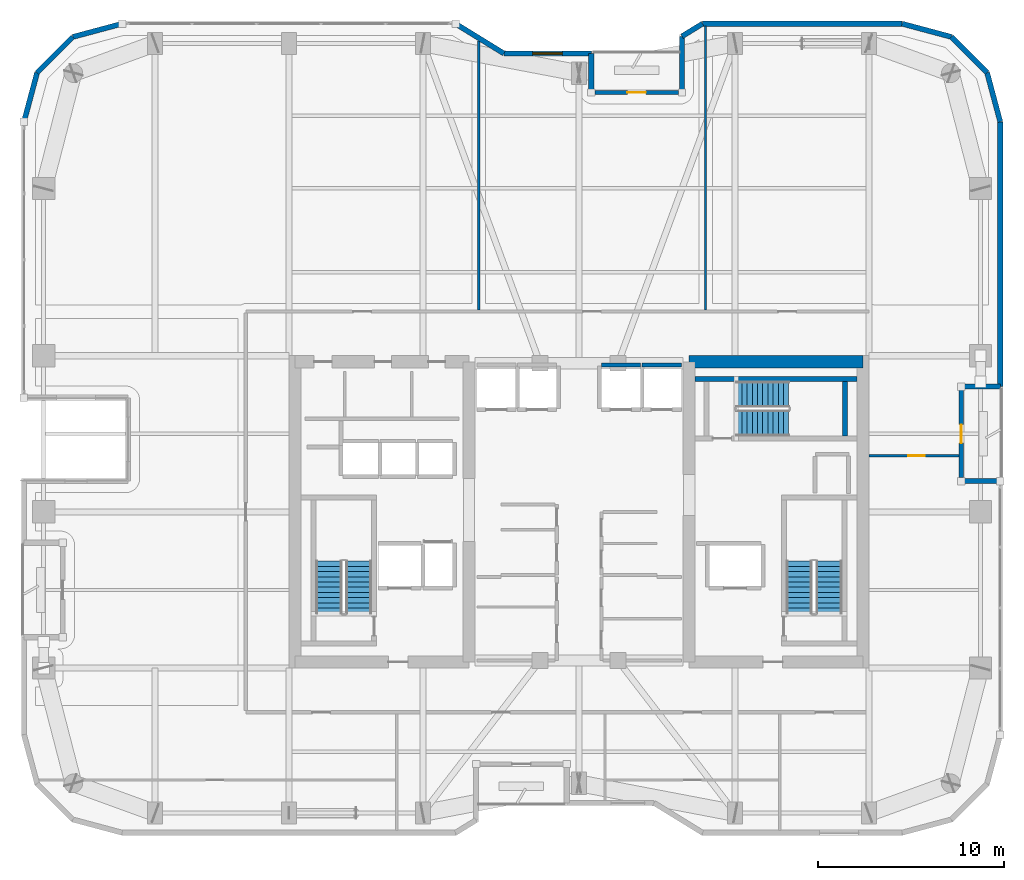
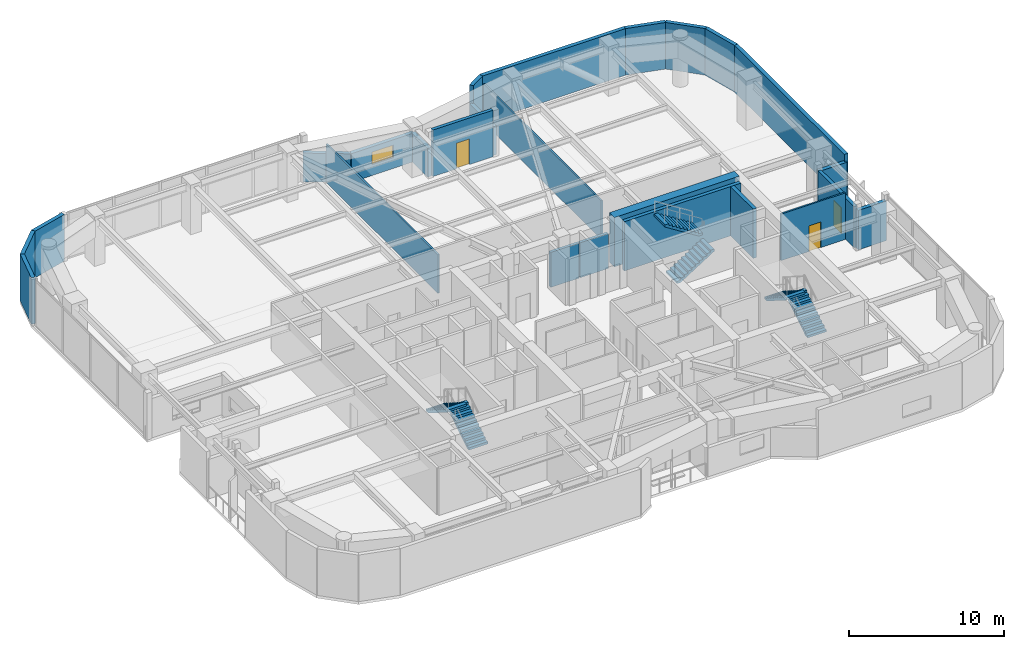
# One storey, part 23 of 26: 25 walls, 6 stair flights, 3 doors, 1 window, 4 openings, 3 elements without a shape of their own.
"""IFC4 building model written with IfcOpenShell, lengths in metres."""

import ifcopenshell
import ifcopenshell.guid

model = None  # the IFC model being written
_history = None  # IfcOwnerHistory: only IFC2X3 demands one
_inside = {}  # id of a spatial element -> (the spatial element, [elements in it])
_under = {}  # id of a project, library or spatial element -> (it, [spatial elements below it])
_declared = {}  # id of a project -> (the project, [libraries it declares])
_typed = {}  # id of a type object -> (the type object, [elements of that type])
_made_of = {}  # id of a material, layer set ... -> (it, [elements and type objects made of it])


def new_model(schema):
    """Start an empty IFC model of exactly this schema.

    Asked for "IFC4X3", IfcOpenShell would pick the latest addendum, in which some entities
    have other attributes; the version numbers below select the first issue.
    IFC2X3 requires an IfcOwnerHistory on every rooted entity: one is made here for all.
    """
    global model, _history
    if schema == "IFC4X3":
        model = ifcopenshell.file(schema_version=(4, 3, 0, 0))
    else:
        model = ifcopenshell.file(schema=schema)
    _inside.clear()
    _under.clear()
    _declared.clear()
    _typed.clear()
    _made_of.clear()
    _history = None
    if model.schema == "IFC2X3":
        org = make("IfcOrganization", Name="unknown")
        user = make(
            "IfcPersonAndOrganization",
            ThePerson=make("IfcPerson", FamilyName="unknown"),
            TheOrganization=org,
        )
        app = make(
            "IfcApplication",
            ApplicationDeveloper=org,
            Version="unknown",
            ApplicationFullName="unknown",
            ApplicationIdentifier="unknown",
        )
        _history = make(
            "IfcOwnerHistory",
            OwningUser=user,
            OwningApplication=app,
            ChangeAction="ADDED",
            CreationDate=0,
        )
    return model


def make(cls, **values):
    """One entity of the class cls with the attributes given. An attribute that is None is left unset."""
    return model.create_entity(
        cls, **{name: value for name, value in values.items() if value is not None}
    )


def rooted(cls, **values):
    """An entity with a GlobalId (a new one), such as an element, a storey or a relation."""
    return make(cls, GlobalId=ifcopenshell.guid.new(), OwnerHistory=_history, **values)


def si_unit(unit_type, name, prefix=None):
    """IfcSIUnit, for example si_unit("LENGTHUNIT", "METRE", prefix="MILLI")."""
    return make("IfcSIUnit", UnitType=unit_type, Prefix=prefix, Name=name)


def assignment(units):
    """IfcUnitAssignment: the units of a project."""
    return None if units is None else make("IfcUnitAssignment", Units=units)


def point(xyz):
    """IfcCartesianPoint."""
    return None if xyz is None else make("IfcCartesianPoint", Coordinates=xyz)


def direction(xyz):
    """IfcDirection."""
    return None if xyz is None else make("IfcDirection", DirectionRatios=xyz)


def frame(location, z_axis=None, x_axis=None):
    """IfcAxis2Placement3D, a coordinate frame: its origin and axes. An axis left out is left unset."""
    return make(
        "IfcAxis2Placement3D",
        Location=point(location),
        Axis=direction(z_axis),
        RefDirection=direction(x_axis),
    )


def frame_2d(location, x_axis=None):
    """IfcAxis2Placement2D, a coordinate frame in the plane: its origin and x axis."""
    return make(
        "IfcAxis2Placement2D", Location=point(location), RefDirection=direction(x_axis)
    )


def origin():
    """The frame at (0, 0, 0) with its axes left unset."""
    return frame((0.0, 0.0, 0.0))


def place(relative_to, where):
    """IfcLocalPlacement: puts the frame where relative to a parent placement (None: the world)."""
    return make(
        "IfcLocalPlacement", PlacementRelTo=relative_to, RelativePlacement=where
    )


def context(
    kind, dimensions, precision=None, world=None, true_north=None, identifier=None
):
    """IfcGeometricRepresentationContext, for example the 3D "Model" context."""
    return make(
        "IfcGeometricRepresentationContext",
        ContextIdentifier=identifier,
        ContextType=kind,
        CoordinateSpaceDimension=dimensions,
        Precision=precision,
        WorldCoordinateSystem=world,
        TrueNorth=true_north,
    )


def subcontext(parent, identifier, kind, view, scale=None):
    """IfcGeometricRepresentationSubContext, for example "Body" below "Model"."""
    return make(
        "IfcGeometricRepresentationSubContext",
        ContextIdentifier=identifier,
        ContextType=kind,
        ParentContext=parent,
        TargetScale=scale,
        TargetView=view,
    )


def project(units=None, contexts=None):
    """IfcProject with its units and contexts."""
    return rooted(
        "IfcProject",
        Name="project",
        RepresentationContexts=contexts,
        UnitsInContext=assignment(units),
    )


def spatial(cls, under=None, at=None, **own):
    """A site, building, storey or space (cls), placed at a placement, below another one or the project."""
    s = rooted(cls, ObjectPlacement=at, **own)
    if under is not None:
        _under.setdefault(under.id(), (under, []))[1].append(s)
    return s


def polyline(points):
    """IfcPolyline through the points."""
    return make("IfcPolyline", Points=[point(p) for p in points])


def profile(cls, at=None, kind="AREA", **sizes):
    """A parametric profile (cls). Its sizes go by their IFC names, for example OverallWidth=200.0."""
    return make(cls, ProfileType=kind, Position=at, **sizes)


def rectangle(**sizes):
    """IfcRectangleProfileDef."""
    return profile("IfcRectangleProfileDef", **sizes)


def outline(outer, holes=None, kind="AREA"):
    """IfcArbitraryClosedProfileDef: a profile drawn as a closed curve; with holes, ...WithVoids."""
    if holes is None:
        return make("IfcArbitraryClosedProfileDef", ProfileType=kind, OuterCurve=outer)
    return make(
        "IfcArbitraryProfileDefWithVoids",
        ProfileType=kind,
        OuterCurve=outer,
        InnerCurves=holes,
    )


def extrude(swept, where, along, depth):
    """IfcExtrudedAreaSolid: the profile swept, set in the frame where, extruded along a direction by depth."""
    return make(
        "IfcExtrudedAreaSolid",
        SweptArea=swept,
        Position=where,
        ExtrudedDirection=direction(along),
        Depth=depth,
    )


def shape(context_of_items, identifier, shape_type, items):
    """IfcShapeRepresentation: the items that make up one representation, for example the "Body"."""
    return make(
        "IfcShapeRepresentation",
        ContextOfItems=context_of_items,
        RepresentationIdentifier=identifier,
        RepresentationType=shape_type,
        Items=items,
    )


def material(Name=None, Category=None):
    """IfcMaterial."""
    return make("IfcMaterial", Name=Name, Category=Category)


def layer(
    of_material, thickness, ventilated=None, Name=None, Category=None, Priority=None
):
    """IfcMaterialLayer: one layer of a wall or slab, of a material (None: an air gap)."""
    return make(
        "IfcMaterialLayer",
        Material=of_material,
        LayerThickness=thickness,
        IsVentilated=ventilated,
        Name=Name,
        Category=Category,
        Priority=Priority,
    )


def layer_set(layers, Name=None):
    """IfcMaterialLayerSet."""
    return make("IfcMaterialLayerSet", MaterialLayers=layers, LayerSetName=Name)


def made_of(thing, what):
    """Note that an element or type object is made of a material, layer set ...; save() writes the relation."""
    if what is not None:
        _made_of.setdefault(what.id(), (what, []))[1].append(thing)
    return thing


def type_object(cls, material=None, **own):
    """A type object (cls), such as IfcWallType, which elements share."""
    return made_of(rooted(cls, **own), material)


def element(
    cls,
    number,
    at=None,
    inside=None,
    cuts=None,
    type_object=None,
    material=None,
    context=None,
    identifier="Body",
    shape_type=None,
    held_by="IfcProductDefinitionShape",
    body=None,
    shapes=None,
    **own,
):
    """One element of the class cls, such as IfcWall. Its Tag is "e" and its number.

    at: its placement. inside: the storey or other place that contains it. cuts: it is an
    opening in that element (IfcRelVoidsElement). A single representation is given by context,
    identifier, shape_type and body (its items); several are given by shapes. held_by: the class
    of the entity that holds the representations. save() writes the other relations.
    """
    e = rooted(cls, Tag="e%d" % number, ObjectPlacement=at, **own)
    if body is not None:
        shapes = [shape(context, identifier, shape_type, body)]
    if shapes is not None:
        e.Representation = make(held_by, Representations=shapes)
    if inside is not None:
        _inside.setdefault(inside.id(), (inside, []))[1].append(e)
    if cuts is not None:
        rooted(
            "IfcRelVoidsElement", RelatingBuildingElement=cuts, RelatedOpeningElement=e
        )
    if type_object is not None:
        _typed.setdefault(type_object.id(), (type_object, []))[1].append(e)
    return made_of(e, material)


def fill(opening, filler):
    """IfcRelFillsElement: the door or window that sits in an opening."""
    return rooted(
        "IfcRelFillsElement",
        RelatingOpeningElement=opening,
        RelatedBuildingElement=filler,
    )


def aggregate(whole, parts):
    """IfcRelAggregates: a whole, such as a stair, and the parts it consists of."""
    return rooted("IfcRelAggregates", RelatingObject=whole, RelatedObjects=parts)


def save(model, path):
    """Write the relations noted so far, then the file.

    IfcRelAggregates (storeys below a building ...), IfcRelContainedInSpatialStructure (elements
    in a storey), IfcRelDefinesByType, IfcRelAssociatesMaterial and IfcRelDeclares: one each for
    every whole, place, type object, material and project.
    """
    for whole, parts in _under.values():
        aggregate(whole, parts)
    for where, things in _inside.values():
        rooted(
            "IfcRelContainedInSpatialStructure",
            RelatedElements=things,
            RelatingStructure=where,
        )
    for kind, things in _typed.values():
        rooted("IfcRelDefinesByType", RelatedObjects=things, RelatingType=kind)
    for what, things in _made_of.values():
        rooted("IfcRelAssociatesMaterial", RelatedObjects=things, RelatingMaterial=what)
    for by, libraries in _declared.values():
        rooted("IfcRelDeclares", RelatingContext=by, RelatedDefinitions=libraries)
    model.write(path)


model = new_model("IFC4")

# Units and contexts
model_context = context("Model", 3, precision=1e-05, world=origin(), true_north=direction((0.0, 1.0)))
body_context = subcontext(model_context, "Body", "Model", "MODEL_VIEW")
ifc_project = project(units=[si_unit("LENGTHUNIT", "METRE"), si_unit("AREAUNIT", "SQUARE_METRE"), si_unit("VOLUMEUNIT", "CUBIC_METRE"), si_unit("PLANEANGLEUNIT", "RADIAN"), si_unit("MASSUNIT", "GRAM", prefix="KILO")], contexts=[model_context])

# Site, building, storey
site_placement = place(None, origin())
site = spatial("IfcSite", under=ifc_project, at=site_placement, CompositionType="ELEMENT")
building_placement = place(site_placement, origin())
building = spatial("IfcBuilding", under=site, at=building_placement, Name="Kiyonajd Concourse Tower", CompositionType="ELEMENT")
storey_placement = place(building_placement, frame((0.0, 0.0, 186.300048828125)))
storey = spatial("IfcBuildingStorey", under=building, at=storey_placement, Name="L47", CompositionType="ELEMENT", Elevation=186.300048828125)

# Walls
ifc_material_1 = material(Name="Concrete C60/75", Category="concrete")
ifc_layer_1 = layer(ifc_material_1, 0.64990234375)
ifc_layer_set_1 = layer_set([ifc_layer_1], Name="Concrete C60/75")
wall_type_1 = type_object("IfcWallType", Name="WL-CORE-650", PredefinedType="SHEAR", material=ifc_layer_set_1)
wall_1_placement = place(storey_placement, frame((53.925048828125, 44.074951171875, 0.0), z_axis=(0.0, 0.0, 1.0), x_axis=(1.0, 0.0, 0.0)))
element("IfcWall", 1, at=wall_1_placement, inside=storey, type_object=wall_type_1, Name="L47 East Core North Shear Wall", PredefinedType="SHEAR", context=body_context, shape_type="SweptSolid", body=[
    extrude(rectangle(XDim=9.349853515625, YDim=0.64990234375, at=frame_2d((4.6748046875, 0.0))), origin(), (0.0, 0.0, 1.0), 3.89990234375),
])
ifc_material_2 = material(Name="Precast concrete C50/60", Category="concrete")
ifc_layer_2 = layer(ifc_material_2, 0.280029296875)
ifc_layer_set_2 = layer_set([ifc_layer_2], Name="Precast concrete C50/60")
wall_type_2 = type_object("IfcWallType", Name="WL-EXT-280", PredefinedType="SOLIDWALL", material=ifc_layer_set_2)
wall_2_placement = place(storey_placement, frame((18.139892578125, 56.981689453125, 0.0), z_axis=(0.0, 0.0, 1.0), x_axis=(0.258672222976, 0.9659651552, 0.0)))
element("IfcWall", 2, at=wall_2_placement, inside=storey, type_object=wall_type_2, Name="L47 Exterior Concrete Frame Wall 09", PredefinedType="SOLIDWALL", context=body_context, shape_type="SweptSolid", body=[
    extrude(rectangle(XDim=2.739013671875, YDim=0.280029296875, at=frame_2d((1.36962890625, 0.0))), origin(), (0.0, 0.0, 1.0), 3.679931640625),
])
wall_3_placement = place(storey_placement, frame((18.848388671875, 59.62744140625, 0.0), z_axis=(0.0, 0.0, 1.0), x_axis=(0.707106781187, 0.707106781187, 0.0)))
element("IfcWall", 3, at=wall_3_placement, inside=storey, type_object=wall_type_2, Name="L47 Exterior Concrete Frame Wall 10", PredefinedType="SOLIDWALL", context=body_context, shape_type="SweptSolid", body=[
    extrude(rectangle(XDim=2.720947265625, YDim=0.280029296875, at=frame_2d((1.3603515625, 0.0))), origin(), (0.0, 0.0, 1.0), 3.679931640625),
])
wall_4_placement = place(storey_placement, frame((20.7724609375, 61.551513671875, 0.0), z_axis=(0.0, 0.0, 1.0), x_axis=(0.965971118627, 0.258649952598, 0.0)))
element("IfcWall", 4, at=wall_4_placement, inside=storey, type_object=wall_type_2, Name="L47 Exterior Concrete Frame Wall 11", PredefinedType="SOLIDWALL", context=body_context, shape_type="SweptSolid", body=[
    extrude(rectangle(XDim=2.7392578125, YDim=0.280029296875, at=frame_2d((1.36962890625, 0.0))), origin(), (0.0, 0.0, 1.0), 3.679931640625),
])
wall_5_placement = place(storey_placement, frame((41.3603515625, 62.260009765625, 0.0), z_axis=(0.0, 0.0, 1.0), x_axis=(0.851652825334, -0.524106349037, 0.0)))
element("IfcWall", 5, at=wall_5_placement, inside=storey, type_object=wall_type_2, Name="L47 Exterior Concrete Frame Wall 13", PredefinedType="SOLIDWALL", context=body_context, shape_type="SweptSolid", body=[
    extrude(rectangle(XDim=3.052978515625, YDim=0.280029296875, at=frame_2d((1.5263671875, 0.0))), origin(), (0.0, 0.0, 1.0), 2.264892578125),
])

# Wall, opening, window
wall_6_placement = place(storey_placement, frame((43.96044921875, 60.659912109375, 0.0), z_axis=(0.0, 0.0, 1.0), x_axis=(1.0, 0.0, 0.0)))
wall_6 = element("IfcWall", 6, at=wall_6_placement, inside=storey, type_object=wall_type_2, Name="L47 Exterior Concrete Frame Wall 14", PredefinedType="SOLIDWALL", context=body_context, shape_type="SweptSolid", body=[
    extrude(rectangle(XDim=4.699462890625, YDim=0.280029296875, at=frame_2d((2.349609375, 0.0))), origin(), (0.0, 0.0, 1.0), 2.264892578125),
])
opening_1_placement = place(wall_6_placement, frame((1.550048828125, 0.0, 0.85009765625)))
opening_1 = element("IfcOpeningElement", 7, at=opening_1_placement, cuts=wall_6, Name="Opening WN6", PredefinedType="OPENING", context=body_context, shape_type="SweptSolid", body=[
    extrude(rectangle(XDim=1.60009765625, YDim=1.0, at=frame_2d((0.800048828125, 0.5))), frame((0.0, 0.14990234375, 0.0), z_axis=(0.0, -1.0, 0.0), x_axis=(1.0, 0.0, 0.0)), (0.0, 0.0, 1.0), 0.300048828125),
])
ifc_material_3 = material(Name="Double Low-E Insulated Glass", Category="glass")
window_type = type_object("IfcWindowType", Name="WN-VIS-1600x1000", PartitioningType="SINGLE_PANEL", PredefinedType="WINDOW", material=ifc_material_3)
window_placement = place(opening_1_placement, origin())
window = element("IfcWindow", 8, at=window_placement, inside=storey, type_object=window_type, Name="L47 Modular Facade Vision Window 14", OverallHeight=1.0, OverallWidth=1.60009765625, PartitioningType="SINGLE_PANEL", PredefinedType="WINDOW", context=body_context, shape_type="SweptSolid", body=[
    extrude(rectangle(XDim=1.60009765625, YDim=1.0, at=frame_2d((0.800048828125, 0.5))), frame((0.0, 0.030029296875, 0.0), z_axis=(0.0, -1.0, 0.0), x_axis=(1.0, 0.0, 0.0)), (0.0, 0.0, 1.0), 0.06005859375),
])
fill(opening_1, window)

# Walls
wall_7_placement = place(storey_placement, frame((48.659912109375, 60.659912109375, 0.0), z_axis=(0.0, 0.0, 1.0), x_axis=(0.0, -1.0, 0.0)))
element("IfcWall", 9, at=wall_7_placement, inside=storey, type_object=wall_type_2, Name="L47 Exterior Concrete Frame Wall 15", PredefinedType="SOLIDWALL", context=body_context, shape_type="SweptSolid", body=[
    extrude(rectangle(XDim=2.099853515625, YDim=0.280029296875, at=frame_2d((1.0498046875, 0.0))), origin(), (0.0, 0.0, 1.0), 2.264892578125),
])
wall_8_placement = place(storey_placement, frame((53.5400390625, 58.56005859375, 0.0), z_axis=(0.0, 0.0, 1.0), x_axis=(0.0, 1.0, 0.0)))
element("IfcWall", 10, at=wall_8_placement, inside=storey, type_object=wall_type_2, Name="L47 Exterior Concrete Frame Wall 17", PredefinedType="SOLIDWALL", context=body_context, shape_type="SweptSolid", body=[
    extrude(rectangle(XDim=3.023681640625, YDim=0.280029296875, at=frame_2d((1.51171875, 0.0))), origin(), (0.0, 0.0, 1.0), 2.264892578125),
])
wall_9_placement = place(storey_placement, frame((53.5400390625, 61.583740234375, 0.0), z_axis=(0.0, 0.0, 1.0), x_axis=(0.851801140441, 0.523865266212, 0.0)))
element("IfcWall", 11, at=wall_9_placement, inside=storey, type_object=wall_type_2, Name="L47 Exterior Concrete Frame Wall 18", PredefinedType="SOLIDWALL", context=body_context, shape_type="SweptSolid", body=[
    extrude(rectangle(XDim=1.291015625, YDim=0.280029296875, at=frame_2d((0.6455078125, 0.0))), origin(), (0.0, 0.0, 1.0), 3.679931640625),
])
wall_10_placement = place(storey_placement, frame((54.6396484375, 62.260009765625, 0.0), z_axis=(0.0, 0.0, 1.0), x_axis=(1.0, 0.0, 0.0)))
element("IfcWall", 12, at=wall_10_placement, inside=storey, type_object=wall_type_2, Name="L47 Exterior Concrete Frame Wall 19", PredefinedType="SOLIDWALL", context=body_context, shape_type="SweptSolid", body=[
    extrude(rectangle(XDim=10.741943359375, YDim=0.280029296875, at=frame_2d((5.37109375, 0.0))), origin(), (0.0, 0.0, 1.0), 3.679931640625),
])
wall_11_placement = place(storey_placement, frame((65.381591796875, 62.260009765625, 0.0), z_axis=(0.0, 0.0, 1.0), x_axis=(0.965971118627, -0.258649952598, 0.0)))
element("IfcWall", 13, at=wall_11_placement, inside=storey, type_object=wall_type_2, Name="L47 Exterior Concrete Frame Wall 20", PredefinedType="SOLIDWALL", context=body_context, shape_type="SweptSolid", body=[
    extrude(rectangle(XDim=2.7392578125, YDim=0.280029296875, at=frame_2d((1.36962890625, 0.0))), origin(), (0.0, 0.0, 1.0), 3.679931640625),
])
wall_12_placement = place(storey_placement, frame((68.027587890625, 61.551513671875, 0.0), z_axis=(0.0, 0.0, 1.0), x_axis=(0.707061915429, -0.707151644098, 0.0)))
element("IfcWall", 14, at=wall_12_placement, inside=storey, type_object=wall_type_2, Name="L47 Exterior Concrete Frame Wall 21", PredefinedType="SOLIDWALL", context=body_context, shape_type="SweptSolid", body=[
    extrude(rectangle(XDim=2.720947265625, YDim=0.280029296875, at=frame_2d((1.3603515625, 0.0))), origin(), (0.0, 0.0, 1.0), 3.679931640625),
])
wall_13_placement = place(storey_placement, frame((69.951416015625, 59.62744140625, 0.0), z_axis=(0.0, 0.0, 1.0), x_axis=(0.258672222976, -0.9659651552, 0.0)))
element("IfcWall", 15, at=wall_13_placement, inside=storey, type_object=wall_type_2, Name="L47 Exterior Concrete Frame Wall 22", PredefinedType="SOLIDWALL", context=body_context, shape_type="SweptSolid", body=[
    extrude(rectangle(XDim=2.739013671875, YDim=0.280029296875, at=frame_2d((1.36962890625, 0.0))), origin(), (0.0, 0.0, 1.0), 3.679931640625),
])
wall_14_placement = place(storey_placement, frame((70.659912109375, 56.981689453125, 0.0), z_axis=(0.0, 0.0, 1.0), x_axis=(0.0, -1.0, 0.0)))
element("IfcWall", 16, at=wall_14_placement, inside=storey, type_object=wall_type_2, Name="L47 Exterior Concrete Frame Wall 23", PredefinedType="SOLIDWALL", context=body_context, shape_type="SweptSolid", body=[
    extrude(rectangle(XDim=14.24169921875, YDim=0.280029296875, at=frame_2d((7.120849609375, 0.0))), origin(), (0.0, 0.0, 1.0), 3.679931640625),
])
for number, where, z_axis, x_axis, name in (
    (17, (70.659912109375, 42.739990234375, 0.0), (0.0, 0.0, 1.0), (-1.0, 0.0, 0.0), "L47 Exterior Concrete Frame Wall 24"),
    (18, (68.56005859375, 37.659912109375, 0.0), (0.0, 0.0, 1.0), (1.0, 0.0, 0.0), "L47 Exterior Concrete Frame Wall 26"),
):
    element("IfcWall", number, at=place(storey_placement, frame(where, z_axis=z_axis, x_axis=x_axis)), inside=storey, type_object=wall_type_2, Name=name, PredefinedType="SOLIDWALL", context=body_context, shape_type="SweptSolid", body=[
        extrude(rectangle(XDim=2.099853515625, YDim=0.280029296875, at=frame_2d((1.0498046875, 0.0))), origin(), (0.0, 0.0, 1.0), 3.115966796875),
    ])

# Wall, opening, door
ifc_layer_3 = layer(ifc_material_2, 0.239990234375)
ifc_layer_set_3 = layer_set([ifc_layer_3], Name="Precast concrete C50/60")
wall_type_3 = type_object("IfcWallType", Name="WL-LOG-240", PredefinedType="SOLIDWALL", material=ifc_layer_set_3)
wall_15_placement = place(storey_placement, frame((48.85498046875, 58.56005859375, 0.0), z_axis=(0.0, 0.0, 1.0), x_axis=(1.0, 0.0, 0.0)))
wall_15 = element("IfcWall", 19, at=wall_15_placement, inside=storey, type_object=wall_type_3, Name="L47 Recessed Loggia Thermal Wall LOG-N", PredefinedType="SOLIDWALL", context=body_context, shape_type="SweptSolid", body=[
    extrude(rectangle(XDim=4.489990234375, YDim=0.239990234375, at=frame_2d((2.2451171875, 0.0))), origin(), (0.0, 0.0, 1.0), 3.679931640625),
])
opening_2_placement = place(wall_15_placement, frame((1.7451171875, 0.0, 0.0)))
opening_2 = element("IfcOpeningElement", 20, at=opening_2_placement, cuts=wall_15, Name="Opening DL1", PredefinedType="OPENING", context=body_context, shape_type="SweptSolid", body=[
    extrude(rectangle(XDim=1.0, YDim=2.02001953125, at=frame_2d((0.5, 1.010009765625))), frame((0.0, 0.1298828125, 0.0), z_axis=(0.0, -1.0, 0.0), x_axis=(1.0, 0.0, 0.0)), (0.0, 0.0, 1.0), 0.260009765625),
])
ifc_material_4 = material(Name="Thermally Broken Anodised Aluminium", Category="aluminium")
door_type_1 = type_object("IfcDoorType", Name="DR-LOG-1000", OperationType="NOTDEFINED", PredefinedType="DOOR", material=ifc_material_4)
door_1_placement = place(opening_2_placement, origin())
door_1 = element("IfcDoor", 21, at=door_1_placement, inside=storey, type_object=door_type_1, Name="L47 Engawa Loggia Access Door LOG-N", OperationType="SINGLE_SWING_RIGHT", OverallHeight=2.02001953125, OverallWidth=1.0, PredefinedType="DOOR", context=body_context, shape_type="SweptSolid", body=[
    extrude(rectangle(XDim=1.0, YDim=2.02001953125, at=frame_2d((0.5, 1.010009765625))), frame((0.0, 0.02490234375, 0.0), z_axis=(0.0, -1.0, 0.0), x_axis=(1.0, 0.0, 0.0)), (0.0, 0.0, 1.0), 0.050048828125),
])
fill(opening_2, door_1)

wall_16_placement = place(storey_placement, frame((68.56005859375, 42.544921875, 0.0), z_axis=(0.0, 0.0, 1.0), x_axis=(0.0, -1.0, 0.0)))
wall_16 = element("IfcWall", 22, at=wall_16_placement, inside=storey, type_object=wall_type_3, Name="L47 Recessed Loggia Thermal Wall LOG-E", PredefinedType="SOLIDWALL", context=body_context, shape_type="SweptSolid", body=[
    extrude(rectangle(XDim=4.68994140625, YDim=0.239990234375, at=frame_2d((2.344970703125, 0.0))), origin(), (0.0, 0.0, 1.0), 3.248046875),
])
opening_3_placement = place(wall_16_placement, frame((1.844970703125, 0.0, 0.0)))
opening_3 = element("IfcOpeningElement", 23, at=opening_3_placement, cuts=wall_16, Name="Opening DL1", PredefinedType="OPENING", context=body_context, shape_type="SweptSolid", body=[
    extrude(rectangle(XDim=1.0, YDim=2.02001953125, at=frame_2d((0.5, 1.010009765625))), frame((0.0, 0.1298828125, 0.0), z_axis=(0.0, -1.0, 0.0), x_axis=(1.0, 0.0, 0.0)), (0.0, 0.0, 1.0), 0.260009765625),
])
door_2_placement = place(opening_3_placement, origin())
door_2 = element("IfcDoor", 24, at=door_2_placement, inside=storey, type_object=door_type_1, Name="L47 Engawa Loggia Access Door LOG-E", OperationType="SINGLE_SWING_LEFT", OverallHeight=2.02001953125, OverallWidth=1.0, PredefinedType="DOOR", context=body_context, shape_type="SweptSolid", body=[
    extrude(rectangle(XDim=1.0, YDim=2.02001953125, at=frame_2d((0.5, 1.010009765625))), frame((0.0, 0.02490234375, 0.0), z_axis=(0.0, -1.0, 0.0), x_axis=(1.0, 0.0, 0.0)), (0.0, 0.0, 1.0), 0.050048828125),
])
fill(opening_3, door_2)

# Walls
ifc_material_5 = material(Name="Gypsum Board on Cold-Formed Steel Stud", Category="steel")
ifc_layer_4 = layer(ifc_material_5, 0.125)
ifc_layer_set_4 = layer_set([ifc_layer_4], Name="Gypsum Board on Cold-Formed Steel Stud")
wall_type_4 = type_object("IfcWallType", Name="WL-PART-125", PredefinedType="PARTITIONING", material=ifc_layer_set_4)
wall_17_placement = place(storey_placement, frame((42.60009765625, 46.866943359375, 0.0), z_axis=(0.0, 0.0, 1.0), x_axis=(0.0, 1.0, 0.0)))
element("IfcWall", 25, at=wall_17_placement, inside=storey, type_object=wall_type_4, Name="L47 Interior Partition Wall", PredefinedType="PARTITIONING", context=body_context, shape_type="SweptSolid", body=[
    extrude(rectangle(XDim=14.462158203125, YDim=0.125, at=frame_2d((7.23095703125, 0.0))), origin(), (0.0, 0.0, 1.0), 3.04296875),
])
wall_18_placement = place(storey_placement, frame((54.800048828125, 46.866943359375, 0.0), z_axis=(0.0, 0.0, 1.0), x_axis=(0.0, 1.0, 0.0)))
element("IfcWall", 26, at=wall_18_placement, inside=storey, type_object=wall_type_4, Name="L47 Interior Partition Wall", PredefinedType="PARTITIONING", context=body_context, shape_type="SweptSolid", body=[
    extrude(rectangle(XDim=15.258056640625, YDim=0.125, at=frame_2d((7.62890625, 0.0))), origin(), (0.0, 0.0, 1.0), 3.04296875),
])

# Wall, opening, door
wall_19_placement = place(storey_placement, frame((63.60009765625, 39.02001953125, 0.0), z_axis=(0.0, 0.0, 1.0), x_axis=(1.0, 0.0, 0.0)))
wall_19 = element("IfcWall", 27, at=wall_19_placement, inside=storey, type_object=wall_type_4, Name="L47 Interior Partition Wall", PredefinedType="PARTITIONING", context=body_context, shape_type="SweptSolid", body=[
    extrude(rectangle(XDim=4.844970703125, YDim=0.125, at=frame_2d((2.42236328125, 0.0))), origin(), (0.0, 0.0, 1.0), 3.679931640625),
])
opening_4_placement = place(wall_19_placement, frame((2.10009765625, 0.0, 0.0)))
opening_4 = element("IfcOpeningElement", 28, at=opening_4_placement, cuts=wall_19, Name="Opening DI2", PredefinedType="OPENING", context=body_context, shape_type="SweptSolid", body=[
    extrude(rectangle(XDim=0.89990234375, YDim=2.02001953125, at=frame_2d((0.449951171875, 1.010009765625))), frame((0.0, 0.072509765625, 0.0), z_axis=(0.0, -1.0, 0.0), x_axis=(1.0, 0.0, 0.0)), (0.0, 0.0, 1.0), 0.14501953125),
])
ifc_material_6 = material(Name="Natural Oak Acoustic Timber Veneer", Category="wood")
door_type_2 = type_object("IfcDoorType", Name="DR-INT-900", OperationType="NOTDEFINED", PredefinedType="DOOR", material=ifc_material_6)
door_3_placement = place(opening_4_placement, origin())
door_3 = element("IfcDoor", 29, at=door_3_placement, inside=storey, type_object=door_type_2, Name="L47 Interior Door", OperationType="SINGLE_SWING_LEFT", OverallHeight=2.02001953125, OverallWidth=0.89990234375, PredefinedType="DOOR", context=body_context, shape_type="SweptSolid", body=[
    extrude(rectangle(XDim=0.89990234375, YDim=2.02001953125, at=frame_2d((0.449951171875, 1.010009765625))), frame((0.0, 0.02490234375, 0.0), z_axis=(0.0, -1.0, 0.0), x_axis=(1.0, 0.0, 0.0)), (0.0, 0.0, 1.0), 0.050048828125),
])
fill(opening_4, door_3)

# Walls
ifc_layer_5 = layer(ifc_material_5, 0.2099609375)
ifc_layer_set_5 = layer_set([ifc_layer_5], Name="Gypsum Board on Cold-Formed Steel Stud")
wall_type_5 = type_object("IfcWallType", Name="WL-SHAFT-210", PredefinedType="PARTITIONING", material=ifc_layer_set_5)
for number, where, z_axis, x_axis, name in (
    (30, (49.199951171875, 43.89990234375, 0.0), (0.0, 0.0, 1.0), (1.0, 0.0, 0.0), "L47 Shaft Enclosure Wall"),
    (31, (51.39990234375, 43.89990234375, 0.0), (0.0, 0.0, 1.0), (1.0, 0.0, 0.0), "L47 Shaft Enclosure Wall"),
):
    element("IfcWall", number, at=place(storey_placement, frame(where, z_axis=z_axis, x_axis=x_axis)), inside=storey, type_object=wall_type_5, Name=name, PredefinedType="PARTITIONING", context=body_context, shape_type="SweptSolid", body=[
        extrude(rectangle(XDim=2.10009765625, YDim=0.2099609375, at=frame_2d((1.050048828125, 0.0))), origin(), (0.0, 0.0, 1.0), 2.764892578125),
    ])
ifc_material_7 = material(Name="Concrete C50/60", Category="concrete")
ifc_layer_6 = layer(ifc_material_7, 0.260009765625)
ifc_layer_set_6 = layer_set([ifc_layer_6], Name="Concrete C50/60")
wall_type_6 = type_object("IfcWallType", Name="WL-STAIR-260", PredefinedType="SHEAR", material=ifc_layer_set_6)
wall_20_placement = place(storey_placement, frame((54.25, 43.14990234375, 0.0), z_axis=(0.0, 0.0, 1.0), x_axis=(1.0, 0.0, 0.0)))
element("IfcWall", 32, at=wall_20_placement, inside=storey, type_object=wall_type_6, Name="L47 Stair ST3 Structural North Wall", PredefinedType="SHEAR", context=body_context, shape_type="SweptSolid", body=[
    extrude(rectangle(XDim=8.699951171875, YDim=0.260009765625, at=frame_2d((4.35009765625, 0.0))), origin(), (0.0, 0.0, 1.0), 3.89990234375),
])
wall_21_placement = place(storey_placement, frame((62.31005859375, 40.080078125, 0.0), z_axis=(0.0, 0.0, 1.0), x_axis=(0.0, 1.0, 0.0)))
element("IfcWall", 33, at=wall_21_placement, inside=storey, type_object=wall_type_6, Name="L47 Stair ST3 Structural East Wall", PredefinedType="SHEAR", context=body_context, shape_type="SweptSolid", body=[
    extrude(rectangle(XDim=2.93994140625, YDim=0.260009765625, at=frame_2d((1.469970703125, 0.0))), origin(), (0.0, 0.0, 1.0), 3.89990234375),
])

# Stair, stair flights
ifc_material_8 = material(Name="Concrete C40/50", Category="concrete")
stair_type = type_object("IfcStairType", Name="ST-DLG-22R", PredefinedType="HALF_TURN_STAIR", material=ifc_material_8)
stair_1_placement = place(storey_placement, origin())
stair_1 = element("IfcStair", 34, at=stair_1_placement, inside=storey, type_object=stair_type, Name="L47 Protected Exit Stair ST1", PredefinedType="HALF_TURN_STAIR")
stair_flight_type = type_object("IfcStairFlightType", Name="SF-STR-22R", PredefinedType="STRAIGHT", material=ifc_material_8)
stair_flight_1_placement = place(storey_placement, frame((36.14990234375, 30.550048828125, 0.0), z_axis=(0.0, 0.0, 1.0), x_axis=(0.0, 1.0, 0.0)))
stair_flight_1 = element("IfcStairFlight", 35, at=stair_flight_1_placement, type_object=stair_flight_type, Name="ST1 flight 1", NumberOfRisers=11, NumberOfTreads=10, PredefinedType="STRAIGHT", RiserHeight=0.177272727, TreadLength=0.28, context=body_context, shape_type="SweptSolid", body=[
    extrude(outline(polyline([(0.0, 0.0), (0.0, 0.17724609375), (0.280029296875, 0.17724609375), (0.280029296875, 0.3544921875), (0.56005859375, 0.3544921875), (0.56005859375, 0.53173828125), (0.840087890625, 0.53173828125), (0.840087890625, 0.708984375), (1.1201171875, 0.708984375), (1.1201171875, 0.886474609375), (1.39990234375, 0.886474609375), (1.39990234375, 1.063720703125), (1.679931640625, 1.063720703125), (1.679931640625, 1.240966796875), (1.9599609375, 1.240966796875), (1.9599609375, 1.418212890625), (2.239990234375, 1.418212890625), (2.239990234375, 1.595458984375), (2.52001953125, 1.595458984375), (2.52001953125, 1.772705078125), (2.800048828125, 1.772705078125), (2.800048828125, 1.949951171875), (2.800048828125, 1.59521484375), (0.2802734375, 0.0), (0.0, 0.0)])), frame((0.0, 0.699951171875, 0.0), z_axis=(0.0, -1.0, 0.0), x_axis=(1.0, 0.0, 0.0)), (0.0, 0.0, 1.0), 1.39990234375),
])
stair_flight_2_placement = place(storey_placement, frame((34.550048828125, 33.35009765625, 1.949951171875), z_axis=(0.0, 0.0, 1.0), x_axis=(0.0, -1.0, 0.0)))
stair_flight_2 = element("IfcStairFlight", 36, at=stair_flight_2_placement, type_object=stair_flight_type, Name="ST1 flight 2", NumberOfRisers=11, NumberOfTreads=10, PredefinedType="STRAIGHT", RiserHeight=0.177272727, TreadLength=0.28, context=body_context, shape_type="SweptSolid", body=[
    extrude(outline(polyline([(0.0, 0.0), (0.0, 0.17724609375), (0.280029296875, 0.17724609375), (0.280029296875, 0.3544921875), (0.56005859375, 0.3544921875), (0.56005859375, 0.53173828125), (0.840087890625, 0.53173828125), (0.840087890625, 0.708984375), (1.1201171875, 0.708984375), (1.1201171875, 0.886474609375), (1.39990234375, 0.886474609375), (1.39990234375, 1.063720703125), (1.679931640625, 1.063720703125), (1.679931640625, 1.240966796875), (1.9599609375, 1.240966796875), (1.9599609375, 1.418212890625), (2.239990234375, 1.418212890625), (2.239990234375, 1.595458984375), (2.52001953125, 1.595458984375), (2.52001953125, 1.772705078125), (2.800048828125, 1.772705078125), (2.800048828125, 1.949951171875), (2.800048828125, 1.59521484375), (0.2802734375, 0.0), (0.0, 0.0)])), frame((0.0, 0.699951171875, 0.0), z_axis=(0.0, -1.0, 0.0), x_axis=(1.0, 0.0, 0.0)), (0.0, 0.0, 1.0), 1.39990234375),
])
aggregate(stair_1, [stair_flight_1, stair_flight_2])

stair_2_placement = place(storey_placement, origin())
stair_2 = element("IfcStair", 37, at=stair_2_placement, inside=storey, type_object=stair_type, Name="L47 Protected Exit Stair ST2", PredefinedType="HALF_TURN_STAIR")
stair_flight_3_placement = place(storey_placement, frame((61.449951171875, 30.550048828125, 0.0), z_axis=(0.0, 0.0, 1.0), x_axis=(0.0, 1.0, 0.0)))
stair_flight_3 = element("IfcStairFlight", 38, at=stair_flight_3_placement, type_object=stair_flight_type, Name="ST2 flight 1", NumberOfRisers=11, NumberOfTreads=10, PredefinedType="STRAIGHT", RiserHeight=0.177272727, TreadLength=0.28, context=body_context, shape_type="SweptSolid", body=[
    extrude(outline(polyline([(0.0, 0.0), (0.0, 0.17724609375), (0.280029296875, 0.17724609375), (0.280029296875, 0.3544921875), (0.56005859375, 0.3544921875), (0.56005859375, 0.53173828125), (0.840087890625, 0.53173828125), (0.840087890625, 0.708984375), (1.1201171875, 0.708984375), (1.1201171875, 0.886474609375), (1.39990234375, 0.886474609375), (1.39990234375, 1.063720703125), (1.679931640625, 1.063720703125), (1.679931640625, 1.240966796875), (1.9599609375, 1.240966796875), (1.9599609375, 1.418212890625), (2.239990234375, 1.418212890625), (2.239990234375, 1.595458984375), (2.52001953125, 1.595458984375), (2.52001953125, 1.772705078125), (2.800048828125, 1.772705078125), (2.800048828125, 1.949951171875), (2.800048828125, 1.59521484375), (0.2802734375, 0.0), (0.0, 0.0)])), frame((0.0, 0.699951171875, 0.0), z_axis=(0.0, -1.0, 0.0), x_axis=(1.0, 0.0, 0.0)), (0.0, 0.0, 1.0), 1.39990234375),
])
stair_flight_4_placement = place(storey_placement, frame((59.85009765625, 33.35009765625, 1.949951171875), z_axis=(0.0, 0.0, 1.0), x_axis=(0.0, -1.0, 0.0)))
stair_flight_4 = element("IfcStairFlight", 39, at=stair_flight_4_placement, type_object=stair_flight_type, Name="ST2 flight 2", NumberOfRisers=11, NumberOfTreads=10, PredefinedType="STRAIGHT", RiserHeight=0.177272727, TreadLength=0.28, context=body_context, shape_type="SweptSolid", body=[
    extrude(outline(polyline([(0.0, 0.0), (0.0, 0.17724609375), (0.280029296875, 0.17724609375), (0.280029296875, 0.3544921875), (0.56005859375, 0.3544921875), (0.56005859375, 0.53173828125), (0.840087890625, 0.53173828125), (0.840087890625, 0.708984375), (1.1201171875, 0.708984375), (1.1201171875, 0.886474609375), (1.39990234375, 0.886474609375), (1.39990234375, 1.063720703125), (1.679931640625, 1.063720703125), (1.679931640625, 1.240966796875), (1.9599609375, 1.240966796875), (1.9599609375, 1.418212890625), (2.239990234375, 1.418212890625), (2.239990234375, 1.595458984375), (2.52001953125, 1.595458984375), (2.52001953125, 1.772705078125), (2.800048828125, 1.772705078125), (2.800048828125, 1.949951171875), (2.800048828125, 1.59521484375), (0.2802734375, 0.0), (0.0, 0.0)])), frame((0.0, 0.699951171875, 0.0), z_axis=(0.0, -1.0, 0.0), x_axis=(1.0, 0.0, 0.0)), (0.0, 0.0, 1.0), 1.39990234375),
])
aggregate(stair_2, [stair_flight_3, stair_flight_4])

stair_3_placement = place(storey_placement, origin())
stair_3 = element("IfcStair", 40, at=stair_3_placement, inside=storey, type_object=stair_type, Name="L47 Protected Exit Stair ST3", PredefinedType="HALF_TURN_STAIR")
stair_flight_5_placement = place(storey_placement, frame((56.47998046875, 40.780029296875, 0.0), z_axis=(0.0, 0.0, 1.0), x_axis=(1.0, 0.0, 0.0)))
stair_flight_5 = element("IfcStairFlight", 41, at=stair_flight_5_placement, type_object=stair_flight_type, Name="ST3 flight 1", NumberOfRisers=11, NumberOfTreads=10, PredefinedType="STRAIGHT", RiserHeight=0.177272727, TreadLength=0.28, context=body_context, shape_type="SweptSolid", body=[
    extrude(outline(polyline([(0.0, 0.0), (0.0, 0.17724609375), (0.280029296875, 0.17724609375), (0.280029296875, 0.3544921875), (0.56005859375, 0.3544921875), (0.56005859375, 0.53173828125), (0.840087890625, 0.53173828125), (0.840087890625, 0.708984375), (1.1201171875, 0.708984375), (1.1201171875, 0.886474609375), (1.39990234375, 0.886474609375), (1.39990234375, 1.063720703125), (1.679931640625, 1.063720703125), (1.679931640625, 1.240966796875), (1.9599609375, 1.240966796875), (1.9599609375, 1.418212890625), (2.239990234375, 1.418212890625), (2.239990234375, 1.595458984375), (2.52001953125, 1.595458984375), (2.52001953125, 1.772705078125), (2.800048828125, 1.772705078125), (2.800048828125, 1.949951171875), (2.800048828125, 1.59521484375), (0.2802734375, 0.0), (0.0, 0.0)])), frame((0.0, 0.699951171875, 0.0), z_axis=(0.0, -1.0, 0.0), x_axis=(1.0, 0.0, 0.0)), (0.0, 0.0, 1.0), 1.39990234375),
])
stair_flight_6_placement = place(storey_placement, frame((59.280029296875, 42.320068359375, 1.949951171875), z_axis=(0.0, 0.0, 1.0), x_axis=(-1.0, 0.0, 0.0)))
stair_flight_6 = element("IfcStairFlight", 42, at=stair_flight_6_placement, type_object=stair_flight_type, Name="ST3 flight 2", NumberOfRisers=11, NumberOfTreads=10, PredefinedType="STRAIGHT", RiserHeight=0.177272727, TreadLength=0.28, context=body_context, shape_type="SweptSolid", body=[
    extrude(outline(polyline([(0.0, 0.0), (0.0, 0.17724609375), (0.280029296875, 0.17724609375), (0.280029296875, 0.3544921875), (0.56005859375, 0.3544921875), (0.56005859375, 0.53173828125), (0.840087890625, 0.53173828125), (0.840087890625, 0.708984375), (1.1201171875, 0.708984375), (1.1201171875, 0.886474609375), (1.39990234375, 0.886474609375), (1.39990234375, 1.063720703125), (1.679931640625, 1.063720703125), (1.679931640625, 1.240966796875), (1.9599609375, 1.240966796875), (1.9599609375, 1.418212890625), (2.239990234375, 1.418212890625), (2.239990234375, 1.595458984375), (2.52001953125, 1.595458984375), (2.52001953125, 1.772705078125), (2.800048828125, 1.772705078125), (2.800048828125, 1.949951171875), (2.800048828125, 1.59521484375), (0.2802734375, 0.0), (0.0, 0.0)])), frame((0.0, 0.699951171875, 0.0), z_axis=(0.0, -1.0, 0.0), x_axis=(1.0, 0.0, 0.0)), (0.0, 0.0, 1.0), 1.39990234375),
])
aggregate(stair_3, [stair_flight_5, stair_flight_6])

save(model, "model.ifc")
